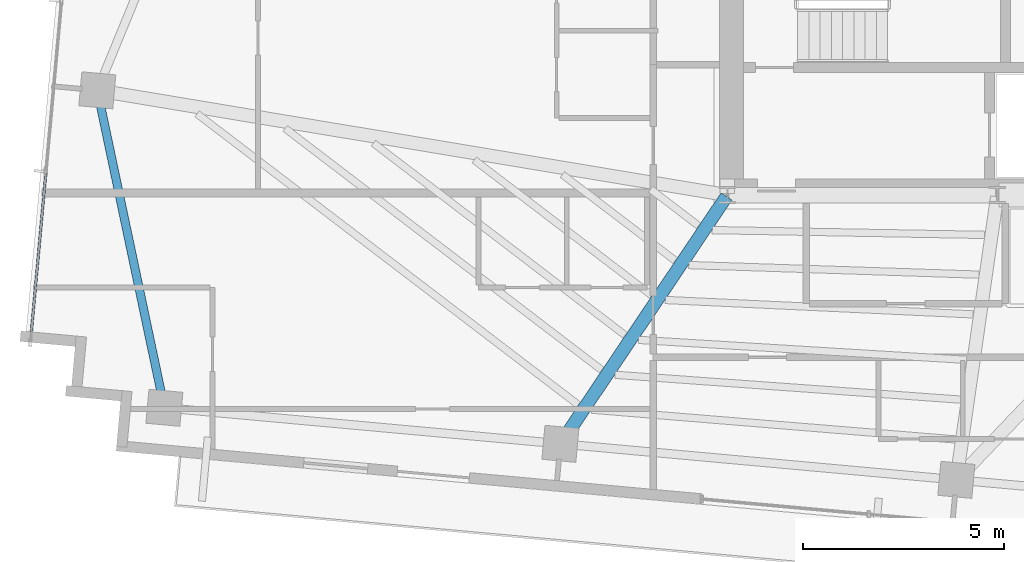
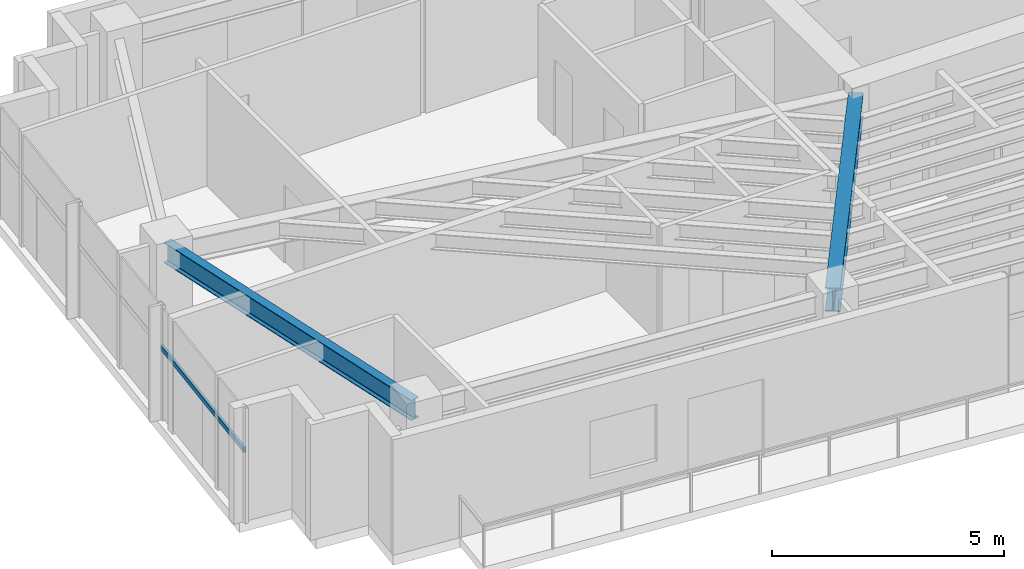
# One storey, part 3 of 22: 2 beams, 1 member, 1 element without a shape of its own.
"""IFC4 building model written with IfcOpenShell, lengths in metres."""

from ifc_helpers import new_model, si_unit, direction, frame, origin, origin_2d, place, context, subcontext, project, spatial, hollow_rectangle, i_section, extrude, source, transform, mapped, material, material_profile, profile_set, type_object, type_shapes, element, aggregate, save


model = new_model("IFC4")

# Units and contexts
model_context = context("Model", 3, precision=1e-05, world=origin(), true_north=direction((0.0, 1.0)))
body_context = subcontext(model_context, "Body", "Model", "MODEL_VIEW")
ifc_project = project(units=[si_unit("LENGTHUNIT", "METRE"), si_unit("AREAUNIT", "SQUARE_METRE"), si_unit("VOLUMEUNIT", "CUBIC_METRE"), si_unit("PLANEANGLEUNIT", "RADIAN"), si_unit("MASSUNIT", "GRAM", prefix="KILO")], contexts=[model_context])

# Site, building, storey
site_placement = place(None, origin())
site = spatial("IfcSite", under=ifc_project, at=site_placement, CompositionType="ELEMENT")
building_placement = place(site_placement, origin())
building = spatial("IfcBuilding", under=site, at=building_placement, Name="Astriad Promenade Condominiums", CompositionType="ELEMENT")
storey_placement = place(building_placement, frame((0.0, 0.0, 226.5)))
storey = spatial("IfcBuildingStorey", under=building, at=storey_placement, Name="L65", CompositionType="ELEMENT", Elevation=226.5)

# Beams
ifc_material_1 = material(Name="Steel ASTM A992 Grade 50", Category="steel")
ifc_material_profile_1 = material_profile(ifc_material_1, i_section(OverallWidth=0.210693359375, OverallDepth=0.53955078125, WebThickness=0.01171875, FlangeThickness=0.018798828125, FilletRadius=0.0166015625, at=origin_2d()), Name="W21X73")
ifc_profile_set_1 = profile_set([ifc_material_profile_1], Name="Steel ASTM A992 Grade 50")
beam_type_1 = type_object("IfcBeamType", Name="STEEL SPANDREL BEAM W21X73", PredefinedType="SPANDREL", material=ifc_profile_set_1)
shared_shape_1 = source(origin(), body_context, "Body", "SweptSolid", [
    extrude(i_section(OverallWidth=0.210693359375, OverallDepth=0.53955078125, WebThickness=0.01171875, FlangeThickness=0.018798828125, FilletRadius=0.0166015625, at=origin_2d()), origin(), (0.0, 0.0, 1.0), 7.99853515625),
])
type_shapes(beam_type_1, [shared_shape_1])
beam_1_placement = place(storey_placement, frame((10.719482421875, 19.97119140625, 2.770263671875), z_axis=(0.206793407277, -0.978384631271, 0.0), x_axis=(0.978384631271, 0.206793407277, 0.0)))
element("IfcBeam", 1, at=beam_1_placement, inside=storey, type_object=beam_type_1, Name="Perimeter Spandrel Beam SP-W1-L65", PredefinedType="SPANDREL", context=body_context, shape_type="MappedRepresentation", body=[
    mapped(shared_shape_1, transform((0.0, 0.0, 0.0), scale=1.0)),
])
ifc_material_profile_2 = material_profile(ifc_material_1, i_section(OverallWidth=0.326416015625, OverallDepth=0.621826171875, WebThickness=0.015380859375, FlangeThickness=0.0244140625, FilletRadius=0.017822265625, at=origin_2d()), Name="W24X131")
ifc_profile_set_2 = profile_set([ifc_material_profile_2], Name="Steel ASTM A992 Grade 50")
beam_type_2 = type_object("IfcBeamType", Name="STEEL FLOOR GIRDER W24X131", PredefinedType="BEAM", material=ifc_profile_set_2)
shared_shape_2 = source(origin(), body_context, "Body", "SweptSolid", [
    extrude(i_section(OverallWidth=0.326416015625, OverallDepth=0.621826171875, WebThickness=0.015380859375, FlangeThickness=0.0244140625, FilletRadius=0.017822265625, at=origin_2d()), origin(), (0.0, 0.0, 1.0), 7.378173828125),
])
type_shapes(beam_type_2, [shared_shape_2])
beam_2_placement = place(storey_placement, frame((22.263427734375, 11.2421875, 2.72900390625), z_axis=(0.55762901545, 0.830090284926, 0.0), x_axis=(-0.830090284926, 0.55762901545, 0.0)))
element("IfcBeam", 2, at=beam_2_placement, inside=storey, type_object=beam_type_2, Name="Primary Floor Girder PG-W2-L65", PredefinedType="BEAM", context=body_context, shape_type="MappedRepresentation", body=[
    mapped(shared_shape_2, transform((0.0, 0.0, 0.0), scale=1.0)),
])

# Curtain wall, member
ifc_material_2 = material(Name="Anodised aluminium Black Dark Glass Unitised", Category="aluminium")
curtain_wall_type = type_object("IfcCurtainWallType", Name="CW-B5-DARK", PredefinedType="USERDEFINED", material=ifc_material_2)
curtain_wall_placement = place(storey_placement, origin())
curtain_wall = element("IfcCurtainWall", 3, at=curtain_wall_placement, inside=storey, type_object=curtain_wall_type, Name="CW-L65-W", ObjectType="UNITISED_CURTAIN_WALL", PredefinedType="USERDEFINED")
ifc_material_3 = material(Name="Anodised aluminium 6063-T6 Black", Category="aluminium")
ifc_material_profile_3 = material_profile(ifc_material_3, hollow_rectangle(XDim=0.06494140625, YDim=0.1298828125, WallThickness=0.00390625, at=origin_2d()), Name="ALU-TRN-65X130")
ifc_profile_set_3 = profile_set([ifc_material_profile_3], Name="Anodised aluminium 6063-T6 Black")
member_type = type_object("IfcMemberType", Name="TRN-ALU-TRN-65X130", PredefinedType="USERDEFINED", material=ifc_profile_set_3)
shared_shape_3 = source(origin(), body_context, "Body", "SweptSolid", [
    extrude(hollow_rectangle(XDim=0.06494140625, YDim=0.1298828125, WallThickness=0.00390625, at=origin_2d()), origin(), (0.0, 0.0, 1.0), 4.2666015625),
])
type_shapes(member_type, [shared_shape_3])
member_placement = place(storey_placement, frame((9.0458984375, 13.7353515625, 1.884765625), z_axis=(0.090638931954, 0.99588382054, 0.0), x_axis=(-0.99588382054, 0.090638931954, 0.0)))
member = element("IfcMember", 4, at=member_placement, type_object=member_type, Name="CW-L65-W-TRN-00-0", ObjectType="TRANSOM", PredefinedType="USERDEFINED", context=body_context, shape_type="MappedRepresentation", body=[
    mapped(shared_shape_3, transform((0.0, 0.0, 0.0), scale=1.0)),
])
aggregate(curtain_wall, [member])

save(model, "model.ifc")
